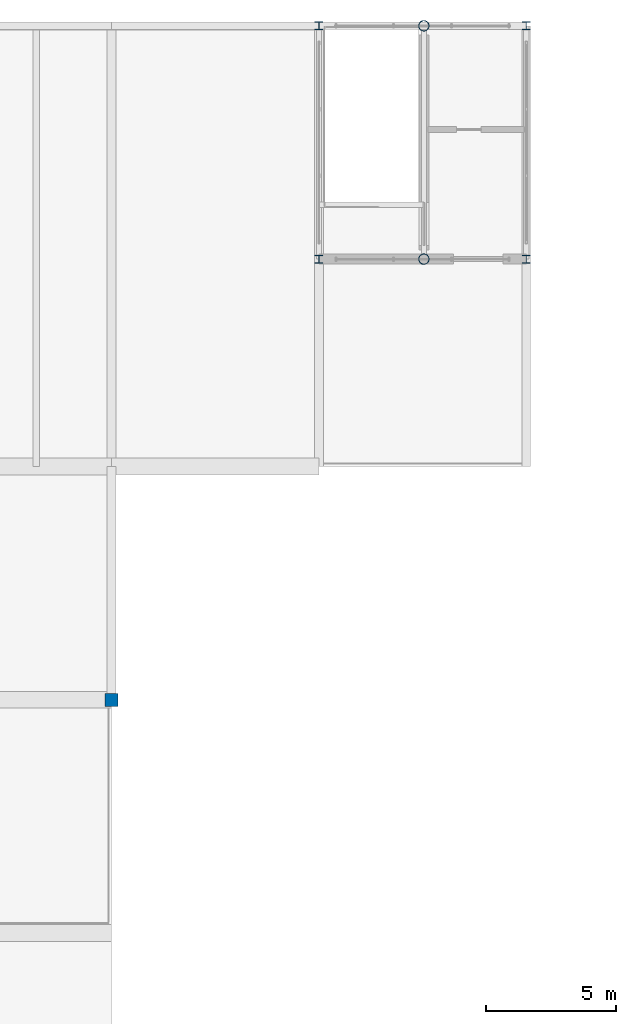
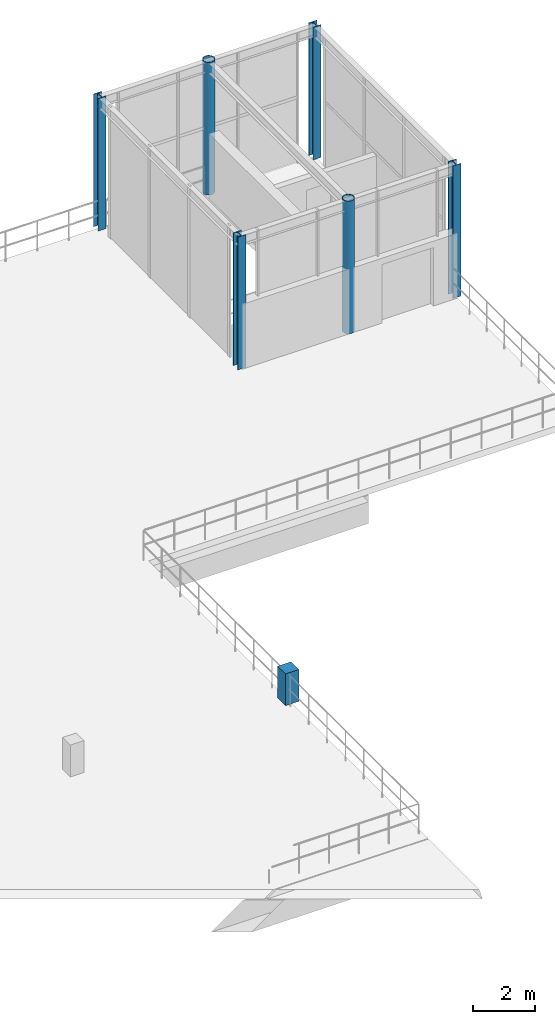
# One storey, part 7 of 50: 7 columns.
"""IFC4 building model written with IfcOpenShell, lengths in metres."""

from ifc_helpers import new_model, si_unit, derived_unit, direction, frame, origin, origin_2d, place, context, subcontext, project, spatial, rectangle, hollow_circle, i_section, extrude, material, material_profile, profile_set, type_object, element, save


model = new_model("IFC4")

# Units and contexts
model_context = context("Model", 3, precision=1e-05, world=origin(), true_north=direction((0.0, 1.0)))
body_context = subcontext(model_context, "Body", "Model", "MODEL_VIEW")
ifc_project = project(units=[si_unit("LENGTHUNIT", "METRE"), si_unit("AREAUNIT", "SQUARE_METRE"), si_unit("VOLUMEUNIT", "CUBIC_METRE"), si_unit("PLANEANGLEUNIT", "RADIAN"), si_unit("MASSUNIT", "GRAM", prefix="KILO"), si_unit("THERMODYNAMICTEMPERATUREUNIT", "KELVIN"), derived_unit("THERMALTRANSMITTANCEUNIT", [(si_unit("POWERUNIT", "WATT"), 1), (si_unit("AREAUNIT", "SQUARE_METRE"), -1), (si_unit("THERMODYNAMICTEMPERATUREUNIT", "KELVIN"), -1)])], contexts=[model_context])

# Site, building, storey
site_placement = place(None, origin())
site = spatial("IfcSite", under=ifc_project, at=site_placement, CompositionType="ELEMENT")
building_placement = place(site_placement, origin())
building = spatial("IfcBuilding", under=site, at=building_placement, Name="Haiyu Intermodal Mobility Hub", CompositionType="ELEMENT")
storey_placement = place(building_placement, frame((0.0, 0.0, 25.10009765625)))
storey = spatial("IfcBuildingStorey", under=building, at=storey_placement, Name="L06", CompositionType="ELEMENT", Elevation=25.10009765625)

# Columns
ifc_material_1 = material(Name="Concrete C40", Category="concrete")
ifc_material_profile_1 = material_profile(ifc_material_1, rectangle(XDim=0.5, YDim=0.5, at=origin_2d()), Name="C500x500")
ifc_profile_set_1 = profile_set([ifc_material_profile_1], Name="Concrete C40")
column_type_1 = type_object("IfcColumnType", Name="COL-CC18-EXT", PredefinedType="COLUMN", material=ifc_profile_set_1)
column_1_placement = place(storey_placement, frame((146.0, 122.0, 0.0), z_axis=(0.0, 0.0, 1.0), x_axis=(1.0, 0.0, 0.0)))
element("IfcColumn", 1, at=column_1_placement, inside=storey, type_object=column_type_1, Name="Rooftop Court Pergola Post 04", PredefinedType="COLUMN", context=body_context, shape_type="SweptSolid", body=[
    extrude(rectangle(XDim=0.5, YDim=0.5, at=origin_2d()), origin(), (0.0, 0.0, 1.0), 1.25),
])
ifc_material_2 = material(Name="Steel Q355C", Category="steel")
ifc_material_profile_2 = material_profile(ifc_material_2, hollow_circle(Radius=0.202880859375, WallThickness=0.013916015625, at=origin_2d()), Name="CHS406x14")
ifc_profile_set_2 = profile_set([ifc_material_profile_2], Name="Steel Q355C")
column_type_2 = type_object("IfcColumnType", Name="COL-SC03", PredefinedType="COLUMN", material=ifc_profile_set_2)
column_2_placement = place(storey_placement, frame((158.050048828125, 139.0, 0.0), z_axis=(0.0, 0.0, 1.0), x_axis=(1.0, 0.0, 0.0)))
element("IfcColumn", 2, at=column_2_placement, inside=storey, type_object=column_type_2, Name="Column C4-MS L06", PredefinedType="COLUMN", context=body_context, shape_type="SweptSolid", body=[
    extrude(hollow_circle(Radius=0.202880859375, WallThickness=0.013916015625, at=origin_2d()), origin(), (0.0, 0.0, 1.0), 5.219970703125),
])
ifc_material_profile_3 = material_profile(ifc_material_2, hollow_circle(Radius=0.202880859375, WallThickness=0.013916015625, at=origin_2d()), Name="CHS406x14")
ifc_profile_set_3 = profile_set([ifc_material_profile_3], Name="Steel Q355C")
column_type_3 = type_object("IfcColumnType", Name="COL-SC03-EXT", PredefinedType="COLUMN", material=ifc_profile_set_3)
column_3_placement = place(storey_placement, frame((158.050048828125, 148.0, 0.0), z_axis=(0.0, 0.0, 1.0), x_axis=(1.0, 0.0, 0.0)))
element("IfcColumn", 3, at=column_3_placement, inside=storey, type_object=column_type_3, Name="Column C4-MN L06", PredefinedType="COLUMN", context=body_context, shape_type="SweptSolid", body=[
    extrude(hollow_circle(Radius=0.202880859375, WallThickness=0.013916015625, at=origin_2d()), origin(), (0.0, 0.0, 1.0), 5.219970703125),
])
ifc_material_profile_4 = material_profile(ifc_material_2, i_section(OverallWidth=0.300048828125, OverallDepth=0.300048828125, WebThickness=0.010009765625, FlangeThickness=0.014892578125, FilletRadius=0.01806640625, at=origin_2d()), Name="HW300x300x10x15")
ifc_profile_set_4 = profile_set([ifc_material_profile_4], Name="Steel Q355C")
column_type_4 = type_object("IfcColumnType", Name="COL-SC07", PredefinedType="COLUMN", material=ifc_profile_set_4)
column_4_placement = place(storey_placement, frame((154.0, 139.0, 0.0), z_axis=(0.0, 0.0, 1.0), x_axis=(1.0, 0.0, 0.0)))
element("IfcColumn", 4, at=column_4_placement, inside=storey, type_object=column_type_4, Name="Column C4-SW L06", PredefinedType="COLUMN", context=body_context, shape_type="SweptSolid", body=[
    extrude(i_section(OverallWidth=0.300048828125, OverallDepth=0.300048828125, WebThickness=0.010009765625, FlangeThickness=0.014892578125, FilletRadius=0.01806640625, at=origin_2d()), origin(), (0.0, 0.0, 1.0), 5.219970703125),
])
ifc_material_profile_5 = material_profile(ifc_material_2, i_section(OverallWidth=0.300048828125, OverallDepth=0.300048828125, WebThickness=0.010009765625, FlangeThickness=0.014892578125, FilletRadius=0.01806640625, at=origin_2d()), Name="HW300x300x10x15")
ifc_profile_set_5 = profile_set([ifc_material_profile_5], Name="Steel Q355C")
column_type_5 = type_object("IfcColumnType", Name="COL-SC07-EXT", PredefinedType="COLUMN", material=ifc_profile_set_5)
for number, where, z_axis, x_axis, name in (
    (5, (154.0, 148.0, 0.0), (0.0, 0.0, 1.0), (1.0, 0.0, 0.0), "Column C4-NW L06"),
    (6, (162.0, 148.0, 0.0), (0.0, 0.0, 1.0), (1.0, 0.0, 0.0), "Column C4-NE L06"),
    (7, (162.0, 139.0, 0.0), (0.0, 0.0, 1.0), (1.0, 0.0, 0.0), "Column C4-SE L06"),
):
    element("IfcColumn", number, at=place(storey_placement, frame(where, z_axis=z_axis, x_axis=x_axis)), inside=storey, type_object=column_type_5, Name=name, PredefinedType="COLUMN", context=body_context, shape_type="SweptSolid", body=[
        extrude(i_section(OverallWidth=0.300048828125, OverallDepth=0.300048828125, WebThickness=0.010009765625, FlangeThickness=0.014892578125, FilletRadius=0.01806640625, at=origin_2d()), origin(), (0.0, 0.0, 1.0), 5.219970703125),
    ])

save(model, "model.ifc")
